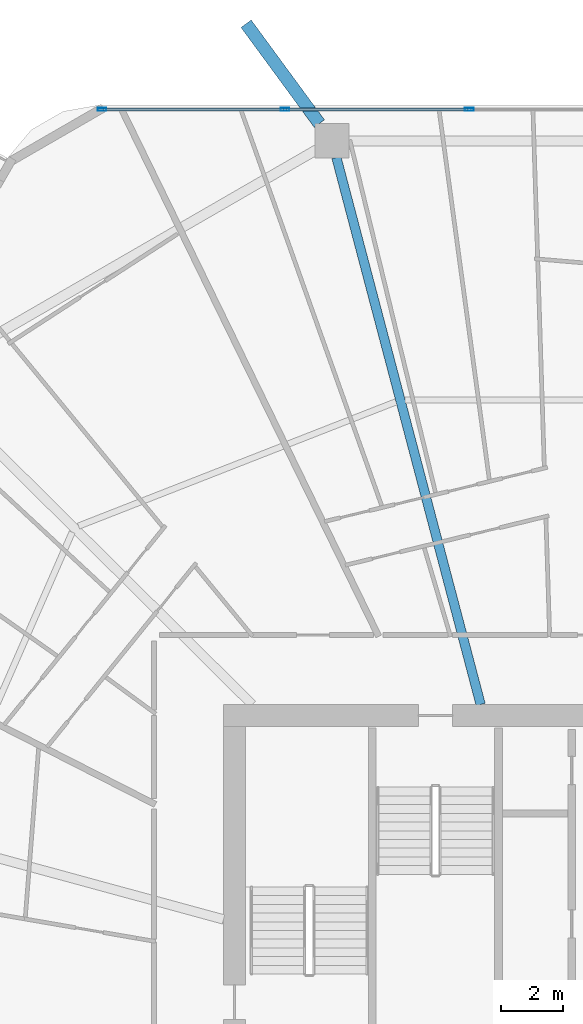
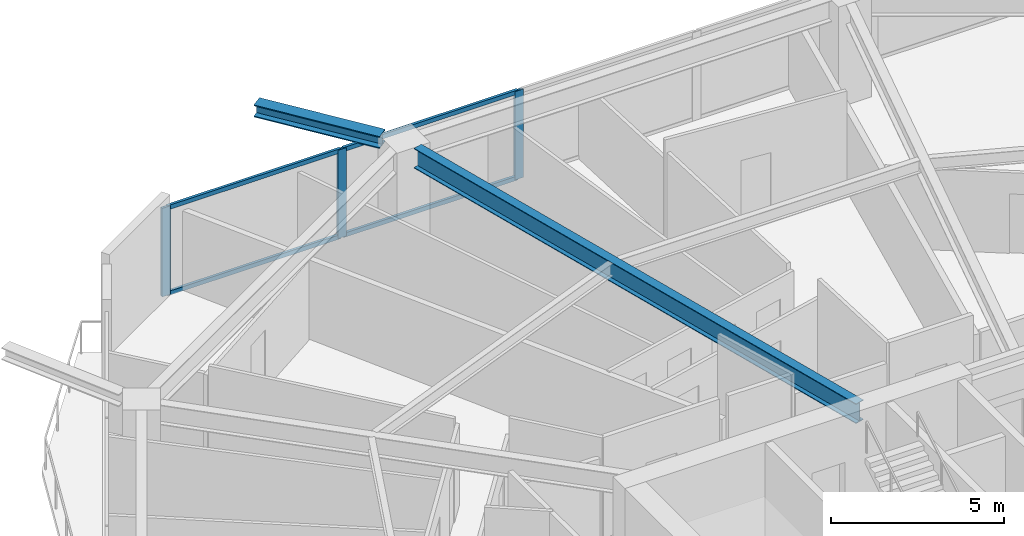
# One storey, part 15 of 32: 7 members, 2 beams, 1 element without a shape of its own.
"""IFC4 building model written with IfcOpenShell, lengths in metres."""

from ifc_helpers import new_model, si_unit, direction, frame, origin, origin_2d, place, context, subcontext, project, spatial, hollow_rectangle, i_section, extrude, material, material_profile, profile_set, type_object, element, aggregate, save


model = new_model("IFC4")

# Units and contexts
model_context = context("Model", 3, precision=1e-05, world=origin(), true_north=direction((0.0, 1.0)))
body_context = subcontext(model_context, "Body", "Model", "MODEL_VIEW")
ifc_project = project(units=[si_unit("LENGTHUNIT", "METRE"), si_unit("AREAUNIT", "SQUARE_METRE"), si_unit("VOLUMEUNIT", "CUBIC_METRE"), si_unit("PLANEANGLEUNIT", "RADIAN"), si_unit("MASSUNIT", "GRAM", prefix="KILO")], contexts=[model_context])

# Site, building, storey
site_placement = place(None, origin())
site = spatial("IfcSite", under=ifc_project, at=site_placement, CompositionType="ELEMENT")
building_placement = place(site_placement, origin())
building = spatial("IfcBuilding", under=site, at=building_placement, Name="Zuhravey Tower", CompositionType="ELEMENT")
storey_placement = place(building_placement, frame((0.0, 0.0, 119.0)))
storey = spatial("IfcBuildingStorey", under=building, at=storey_placement, Name="L29", CompositionType="ELEMENT", Elevation=119.0)

# Curtain wall, members
ifc_material_1 = material(Name="Thermally broken anodised aluminium", Category="aluminium")
curtain_wall_type = type_object("IfcCurtainWallType", Name="Zone 1-2 Residential Curtain Wall CW3", PredefinedType="NOTDEFINED", material=ifc_material_1)
curtain_wall_placement = place(storey_placement, origin())
curtain_wall = element("IfcCurtainWall", 1, at=curtain_wall_placement, inside=storey, type_object=curtain_wall_type, Name="L29 CW3 CW-L29-F2-1", PredefinedType="NOTDEFINED")
ifc_material_2 = material(Name="Anodised aluminium", Category="aluminium")
ifc_material_profile_1 = material_profile(ifc_material_2, hollow_rectangle(XDim=0.090087890625, YDim=0.284912109375, WallThickness=0.0048828125, at=origin_2d()), Name="ALU-RHS-90x285x5")
ifc_profile_set_1 = profile_set([ifc_material_profile_1], Name="Anodised aluminium")
member_type_1 = type_object("IfcMemberType", Name="Curtain-Wall Mullion 90x180", PredefinedType="MULLION", material=ifc_profile_set_1)
member_1_placement = place(storey_placement, frame((21.24560546875, 60.95849609375, 0.0), z_axis=(0.0, 0.0, 1.0), x_axis=(0.0, 1.0, 0.0)))
member_1 = element("IfcMember", 2, at=member_1_placement, type_object=member_type_1, Name="CW3 mullion 1", PredefinedType="MULLION", context=body_context, shape_type="SweptSolid", body=[
    extrude(hollow_rectangle(XDim=0.090087890625, YDim=0.284912109375, WallThickness=0.0048828125, at=origin_2d()), origin(), (0.0, 0.0, 1.0), 3.1220703125),
])
member_2_placement = place(storey_placement, frame((27.120361328125, 60.95849609375, 0.0), z_axis=(0.0, 0.0, 1.0), x_axis=(0.0, 1.0, 0.0)))
member_2 = element("IfcMember", 3, at=member_2_placement, type_object=member_type_1, Name="CW3 mullion 2", PredefinedType="MULLION", context=body_context, shape_type="SweptSolid", body=[
    extrude(hollow_rectangle(XDim=0.090087890625, YDim=0.284912109375, WallThickness=0.0048828125, at=origin_2d()), origin(), (0.0, 0.0, 1.0), 3.1220703125),
])
member_3_placement = place(storey_placement, frame((33.0400390625, 60.95849609375, 0.0), z_axis=(0.0, 0.0, 1.0), x_axis=(0.0, 1.0, 0.0)))
member_3 = element("IfcMember", 4, at=member_3_placement, type_object=member_type_1, Name="CW3 mullion 3", PredefinedType="MULLION", context=body_context, shape_type="SweptSolid", body=[
    extrude(hollow_rectangle(XDim=0.090087890625, YDim=0.284912109375, WallThickness=0.0048828125, at=origin_2d()), origin(), (0.0, 0.0, 1.0), 3.1220703125),
])
ifc_material_profile_2 = material_profile(ifc_material_2, hollow_rectangle(XDim=0.090087890625, YDim=0.14990234375, WallThickness=0.0048828125, at=origin_2d()), Name="ALU-RHS-90x150x5")
ifc_profile_set_2 = profile_set([ifc_material_profile_2], Name="Anodised aluminium")
member_type_2 = type_object("IfcMemberType", Name="Curtain-Wall Transom 90x150", PredefinedType="USERDEFINED", material=ifc_profile_set_2)
member_4_placement = place(storey_placement, frame((21.29052734375, 60.95849609375, 0.044921875), z_axis=(1.0, 0.0, 0.0), x_axis=(0.0, 1.0, 0.0)))
member_4 = element("IfcMember", 5, at=member_4_placement, type_object=member_type_2, Name="CW3 transom 1.1", ObjectType="TRANSOM", PredefinedType="USERDEFINED", context=body_context, shape_type="SweptSolid", body=[
    extrude(hollow_rectangle(XDim=0.090087890625, YDim=0.14990234375, WallThickness=0.0048828125, at=origin_2d()), origin(), (0.0, 0.0, 1.0), 5.78466796875),
])
member_5_placement = place(storey_placement, frame((21.29052734375, 60.95849609375, 3.076904296875), z_axis=(1.0, 0.0, 0.0), x_axis=(0.0, 1.0, 0.0)))
member_5 = element("IfcMember", 6, at=member_5_placement, type_object=member_type_2, Name="CW3 transom 1.2", ObjectType="TRANSOM", PredefinedType="USERDEFINED", context=body_context, shape_type="SweptSolid", body=[
    extrude(hollow_rectangle(XDim=0.090087890625, YDim=0.14990234375, WallThickness=0.0048828125, at=origin_2d()), origin(), (0.0, 0.0, 1.0), 5.78466796875),
])
member_6_placement = place(storey_placement, frame((27.165283203125, 60.95849609375, 0.044921875), z_axis=(1.0, 0.0, 0.0), x_axis=(0.0, 1.0, 0.0)))
member_6 = element("IfcMember", 7, at=member_6_placement, type_object=member_type_2, Name="CW3 transom 2.1", ObjectType="TRANSOM", PredefinedType="USERDEFINED", context=body_context, shape_type="SweptSolid", body=[
    extrude(hollow_rectangle(XDim=0.090087890625, YDim=0.14990234375, WallThickness=0.0048828125, at=origin_2d()), origin(), (0.0, 0.0, 1.0), 5.829833984375),
])
member_7_placement = place(storey_placement, frame((27.165283203125, 60.95849609375, 3.076904296875), z_axis=(1.0, 0.0, 0.0), x_axis=(0.0, 1.0, 0.0)))
member_7 = element("IfcMember", 8, at=member_7_placement, type_object=member_type_2, Name="CW3 transom 2.2", ObjectType="TRANSOM", PredefinedType="USERDEFINED", context=body_context, shape_type="SweptSolid", body=[
    extrude(hollow_rectangle(XDim=0.090087890625, YDim=0.14990234375, WallThickness=0.0048828125, at=origin_2d()), origin(), (0.0, 0.0, 1.0), 5.829833984375),
])
aggregate(curtain_wall, [member_1, member_2, member_3, member_4, member_5, member_6, member_7])

# Beams
ifc_material_3 = material(Name="Steel SM460", Category="steel")
ifc_material_profile_3 = material_profile(ifc_material_3, i_section(OverallWidth=0.406982421875, OverallDepth=0.427978515625, WebThickness=0.02001953125, FlangeThickness=0.034912109375, at=origin_2d()), Name="H-428x407x20x35")
ifc_profile_set_3 = profile_set([ifc_material_profile_3], Name="Steel SM460")
beam_type_1 = type_object("IfcBeamType", Name="Exoskeleton Node Tie Beam H428x407", PredefinedType="BEAM", material=ifc_profile_set_3)
beam_1_placement = place(storey_placement, frame((28.223876953125, 60.501708984375, 3.3359375), z_axis=(-0.591653859, 0.806192105599, 0.0), x_axis=(-0.806192105599, -0.591653859, 0.0)))
element("IfcBeam", 9, at=beam_1_placement, inside=storey, type_object=beam_type_1, Name="L29 Exoskeleton Node Tie NT1-04", PredefinedType="BEAM", context=body_context, shape_type="SweptSolid", body=[
    extrude(i_section(OverallWidth=0.406982421875, OverallDepth=0.427978515625, WebThickness=0.02001953125, FlangeThickness=0.034912109375, at=origin_2d()), origin(), (0.0, 0.0, 1.0), 3.974853515625),
])
ifc_material_4 = material(Name="Steel SM355", Category="steel")
ifc_material_profile_4 = material_profile(ifc_material_4, i_section(OverallWidth=0.300048828125, OverallDepth=0.699951171875, WebThickness=0.012939453125, FlangeThickness=0.02392578125, at=origin_2d()), Name="H-700x300x13x24")
ifc_profile_set_4 = profile_set([ifc_material_profile_4], Name="Steel SM355")
beam_type_2 = type_object("IfcBeamType", Name="Radial Primary Girder H700x300", PredefinedType="BEAM", material=ifc_profile_set_4)
beam_2_placement = place(storey_placement, frame((33.40185546875, 41.85302734375, 3.199951171875), z_axis=(-0.25498755891, 0.966944333869, 0.0), x_axis=(-0.966944333869, -0.25498755891, 0.0)))
element("IfcBeam", 10, at=beam_2_placement, inside=storey, type_object=beam_type_2, Name="L29 RG1 BM-L29-RAD-04", PredefinedType="BEAM", context=body_context, shape_type="SweptSolid", body=[
    extrude(i_section(OverallWidth=0.300048828125, OverallDepth=0.699951171875, WebThickness=0.012939453125, FlangeThickness=0.02392578125, at=origin_2d()), origin(), (0.0, 0.0, 1.0), 18.1611328125),
])

save(model, "model.ifc")
